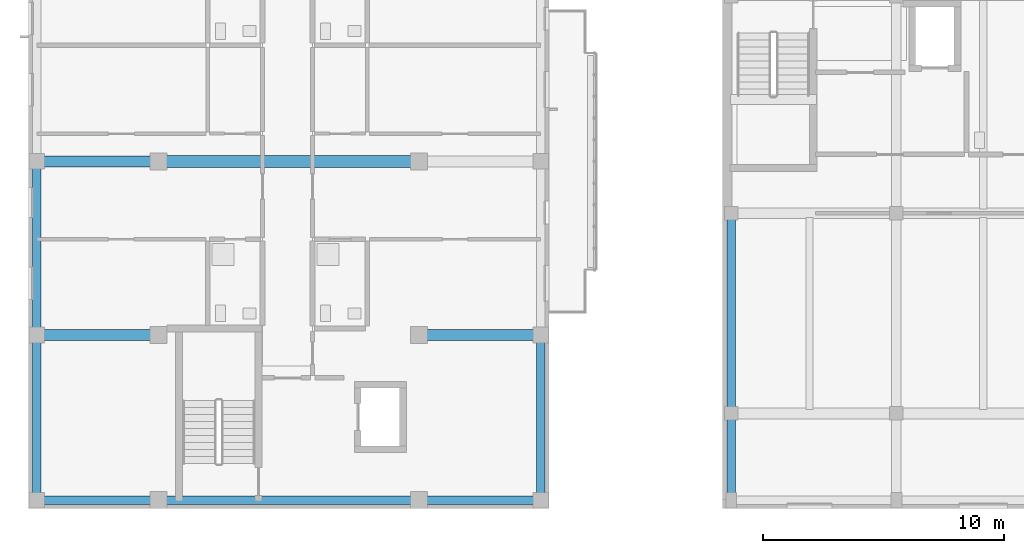
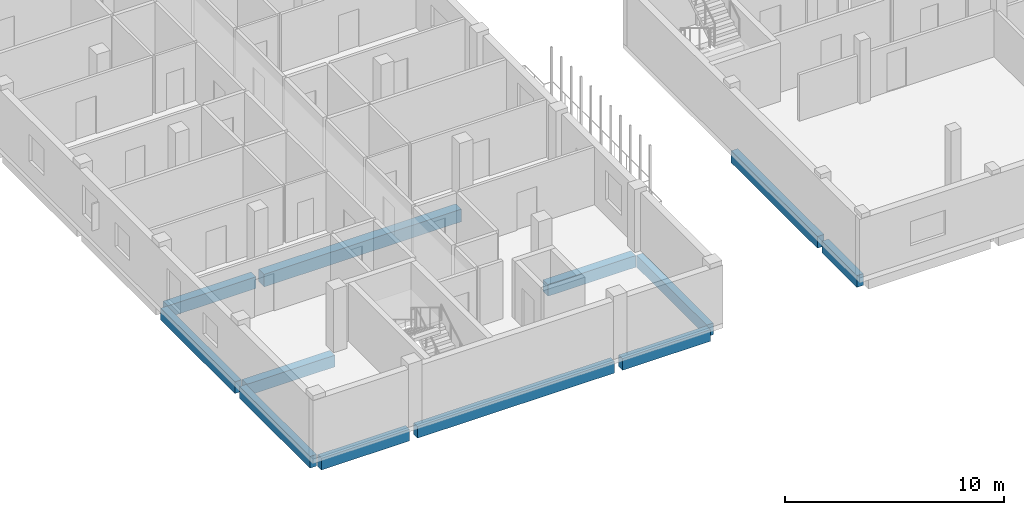
# One storey, part 3 of 73: 12 beams.
"""IFC4 building model written with IfcOpenShell, lengths in metres."""

from ifc_helpers import new_model, si_unit, derived_unit, direction, frame, origin, origin_2d, place, context, subcontext, project, spatial, rectangle, extrude, material, material_profile, profile_set, type_object, element, save


model = new_model("IFC4")

# Units and contexts
model_context = context("Model", 3, precision=1e-05, world=origin(), true_north=direction((0.0, 1.0)))
body_context = subcontext(model_context, "Body", "Model", "MODEL_VIEW")
ifc_project = project(units=[si_unit("LENGTHUNIT", "METRE"), si_unit("AREAUNIT", "SQUARE_METRE"), si_unit("VOLUMEUNIT", "CUBIC_METRE"), si_unit("PLANEANGLEUNIT", "RADIAN"), si_unit("MASSUNIT", "GRAM", prefix="KILO"), derived_unit("THERMALTRANSMITTANCEUNIT", [(si_unit("MASSUNIT", "GRAM", prefix="KILO"), 1), (si_unit("TIMEUNIT", "SECOND"), -3), (si_unit("THERMODYNAMICTEMPERATUREUNIT", "KELVIN"), -1)])], contexts=[model_context])

# Site, building, storey
site_placement = place(None, origin())
site = spatial("IfcSite", under=ifc_project, at=site_placement, CompositionType="ELEMENT")
building_placement = place(site_placement, origin())
building = spatial("IfcBuilding", under=site, at=building_placement, Name="Ochrekiln Boulevard Commons", CompositionType="ELEMENT")
storey_placement = place(building_placement, frame((0.0, 0.0, 8.574951171875)))
storey = spatial("IfcBuildingStorey", under=building, at=storey_placement, Name="L02", CompositionType="ELEMENT", Elevation=8.574951171875)

# Beams
ifc_material_1 = material(Name="Concrete C35/45", Category="concrete")
ifc_material_profile_1 = material_profile(ifc_material_1, rectangle(XDim=0.449951171875, YDim=0.64990234375, at=origin_2d()), Name="RC-BM-450x650")
ifc_profile_set_1 = profile_set([ifc_material_profile_1], Name="Concrete C35/45")
beam_type_1 = type_object("IfcBeamType", Name="BM-RC-450x650", PredefinedType="BEAM", material=ifc_profile_set_1)
beam_1_placement = place(storey_placement, frame((0.56005859375, 7.199951171875, -0.5849609375), z_axis=(1.0, 0.0, 0.0), x_axis=(0.0, 1.0, 0.0)))
element("IfcBeam", 1, at=beam_1_placement, inside=storey, type_object=beam_type_1, Name="Block D L02 Beam B-4565 X4", PredefinedType="BEAM", context=body_context, shape_type="SweptSolid", body=[
    extrude(rectangle(XDim=0.449951171875, YDim=0.64990234375, at=origin_2d()), origin(), (0.0, 0.0, 1.0), 4.6298828125),
])
beam_2_placement = place(storey_placement, frame((16.409912109375, 7.199951171875, -0.5849609375), z_axis=(1.0, 0.0, 0.0), x_axis=(0.0, 1.0, 0.0)))
element("IfcBeam", 2, at=beam_2_placement, inside=storey, type_object=beam_type_1, Name="Block D L02 Beam B-4565 X5", PredefinedType="BEAM", context=body_context, shape_type="SweptSolid", body=[
    extrude(rectangle(XDim=0.449951171875, YDim=0.64990234375, at=origin_2d()), origin(), (0.0, 0.0, 1.0), 4.630126953125),
])
beam_3_placement = place(storey_placement, frame((0.56005859375, 14.39990234375, -0.5849609375), z_axis=(1.0, 0.0, 0.0), x_axis=(0.0, 1.0, 0.0)))
element("IfcBeam", 3, at=beam_3_placement, inside=storey, type_object=beam_type_1, Name="Block D L02 Beam B-4565 X6", PredefinedType="BEAM", context=body_context, shape_type="SweptSolid", body=[
    extrude(rectangle(XDim=0.449951171875, YDim=0.64990234375, at=origin_2d()), origin(), (0.0, 0.0, 1.0), 4.6298828125),
])
ifc_material_2 = material(Name="Concrete C40/50", Category="concrete")
ifc_material_profile_2 = material_profile(ifc_material_2, rectangle(XDim=0.5, YDim=0.699951171875, at=origin_2d()), Name="RC-BM-500x700")
ifc_profile_set_2 = profile_set([ifc_material_profile_2], Name="Concrete C40/50")
beam_type_2 = type_object("IfcBeamType", Name="BM-RC-500x700", PredefinedType="BEAM", material=ifc_profile_set_2)
beam_4_placement = place(storey_placement, frame((5.610107421875, 14.39990234375, -0.60986328125), z_axis=(1.0, 0.0, 0.0), x_axis=(0.0, 1.0, 0.0)))
element("IfcBeam", 4, at=beam_4_placement, inside=storey, type_object=beam_type_2, Name="Block D L02 Beam B-5070 X7", PredefinedType="BEAM", context=body_context, shape_type="SweptSolid", body=[
    extrude(rectangle(XDim=0.5, YDim=0.699951171875, at=origin_2d()), origin(), (0.0, 0.0, 1.0), 10.3798828125),
])
ifc_material_profile_3 = material_profile(ifc_material_2, rectangle(XDim=0.35009765625, YDim=0.64990234375, at=origin_2d()), Name="RC-SPN-350x650")
ifc_profile_set_3 = profile_set([ifc_material_profile_3], Name="Concrete C40/50")
beam_type_3 = type_object("IfcBeamType", Name="SPN-RC-350x650", PredefinedType="SPANDREL", material=ifc_profile_set_3)
beam_5_placement = place(storey_placement, frame((0.56005859375, 0.35009765625, -0.5849609375), z_axis=(1.0, 0.0, 0.0), x_axis=(0.0, 1.0, 0.0)))
element("IfcBeam", 5, at=beam_5_placement, inside=storey, type_object=beam_type_3, Name="Block D L02 Beam SP-3565 X1", PredefinedType="SPANDREL", context=body_context, shape_type="SweptSolid", body=[
    extrude(rectangle(XDim=0.35009765625, YDim=0.64990234375, at=origin_2d()), origin(), (0.0, 0.0, 1.0), 4.6298828125),
])
beam_6_placement = place(storey_placement, frame((5.610107421875, 0.35009765625, -0.5849609375), z_axis=(1.0, 0.0, 0.0), x_axis=(0.0, 1.0, 0.0)))
element("IfcBeam", 6, at=beam_6_placement, inside=storey, type_object=beam_type_3, Name="Block D L02 Beam SP-3565 X2", PredefinedType="SPANDREL", context=body_context, shape_type="SweptSolid", body=[
    extrude(rectangle(XDim=0.35009765625, YDim=0.64990234375, at=origin_2d()), origin(), (0.0, 0.0, 1.0), 10.3798828125),
])
beam_7_placement = place(storey_placement, frame((16.409912109375, 0.35009765625, -0.5849609375), z_axis=(1.0, 0.0, 0.0), x_axis=(0.0, 1.0, 0.0)))
element("IfcBeam", 7, at=beam_7_placement, inside=storey, type_object=beam_type_3, Name="Block D L02 Beam SP-3565 X3", PredefinedType="SPANDREL", context=body_context, shape_type="SweptSolid", body=[
    extrude(rectangle(XDim=0.35009765625, YDim=0.64990234375, at=origin_2d()), origin(), (0.0, 0.0, 1.0), 4.630126953125),
])
beam_8_placement = place(storey_placement, frame((0.35009765625, 0.56005859375, -0.5849609375), z_axis=(0.0, 1.0, 0.0), x_axis=(-1.0, 0.0, 0.0)))
element("IfcBeam", 8, at=beam_8_placement, inside=storey, type_object=beam_type_3, Name="Block D L02 Beam SP-3565 Y23", PredefinedType="SPANDREL", context=body_context, shape_type="SweptSolid", body=[
    extrude(rectangle(XDim=0.35009765625, YDim=0.64990234375, at=origin_2d()), origin(), (0.0, 0.0, 1.0), 6.429931640625),
])
beam_9_placement = place(storey_placement, frame((0.35009765625, 7.409912109375, -0.5849609375), z_axis=(0.0, 1.0, 0.0), x_axis=(-1.0, 0.0, 0.0)))
element("IfcBeam", 9, at=beam_9_placement, inside=storey, type_object=beam_type_3, Name="Block D L02 Beam SP-3565 Y24", PredefinedType="SPANDREL", context=body_context, shape_type="SweptSolid", body=[
    extrude(rectangle(XDim=0.35009765625, YDim=0.64990234375, at=origin_2d()), origin(), (0.0, 0.0, 1.0), 6.780029296875),
])
beam_10_placement = place(storey_placement, frame((21.25, 0.56005859375, -0.5849609375), z_axis=(0.0, 1.0, 0.0), x_axis=(-1.0, 0.0, 0.0)))
element("IfcBeam", 10, at=beam_10_placement, inside=storey, type_object=beam_type_3, Name="Block D L02 Beam SP-3565 Y30", PredefinedType="SPANDREL", context=body_context, shape_type="SweptSolid", body=[
    extrude(rectangle(XDim=0.35009765625, YDim=0.64990234375, at=origin_2d()), origin(), (0.0, 0.0, 1.0), 6.429931640625),
])
beam_11_placement = place(storey_placement, frame((29.14990234375, 0.56005859375, -0.599853515625), z_axis=(0.0, 1.0, 0.0), x_axis=(-1.0, 0.0, 0.0)))
element("IfcBeam", 11, at=beam_11_placement, inside=storey, type_object=beam_type_3, Name="West Boulevard Shops and Arcade L02 Beam SP-3565 Y17", PredefinedType="SPANDREL", context=body_context, shape_type="SweptSolid", body=[
    extrude(rectangle(XDim=0.35009765625, YDim=0.64990234375, at=origin_2d()), origin(), (0.0, 0.0, 1.0), 3.179931640625),
])
beam_12_placement = place(storey_placement, frame((29.14990234375, 4.159912109375, -0.599853515625), z_axis=(0.0, 1.0, 0.0), x_axis=(-1.0, 0.0, 0.0)))
element("IfcBeam", 12, at=beam_12_placement, inside=storey, type_object=beam_type_3, Name="West Boulevard Shops and Arcade L02 Beam SP-3565 Y18", PredefinedType="SPANDREL", context=body_context, shape_type="SweptSolid", body=[
    extrude(rectangle(XDim=0.35009765625, YDim=0.64990234375, at=origin_2d()), origin(), (0.0, 0.0, 1.0), 7.880126953125),
])

save(model, "model.ifc")
